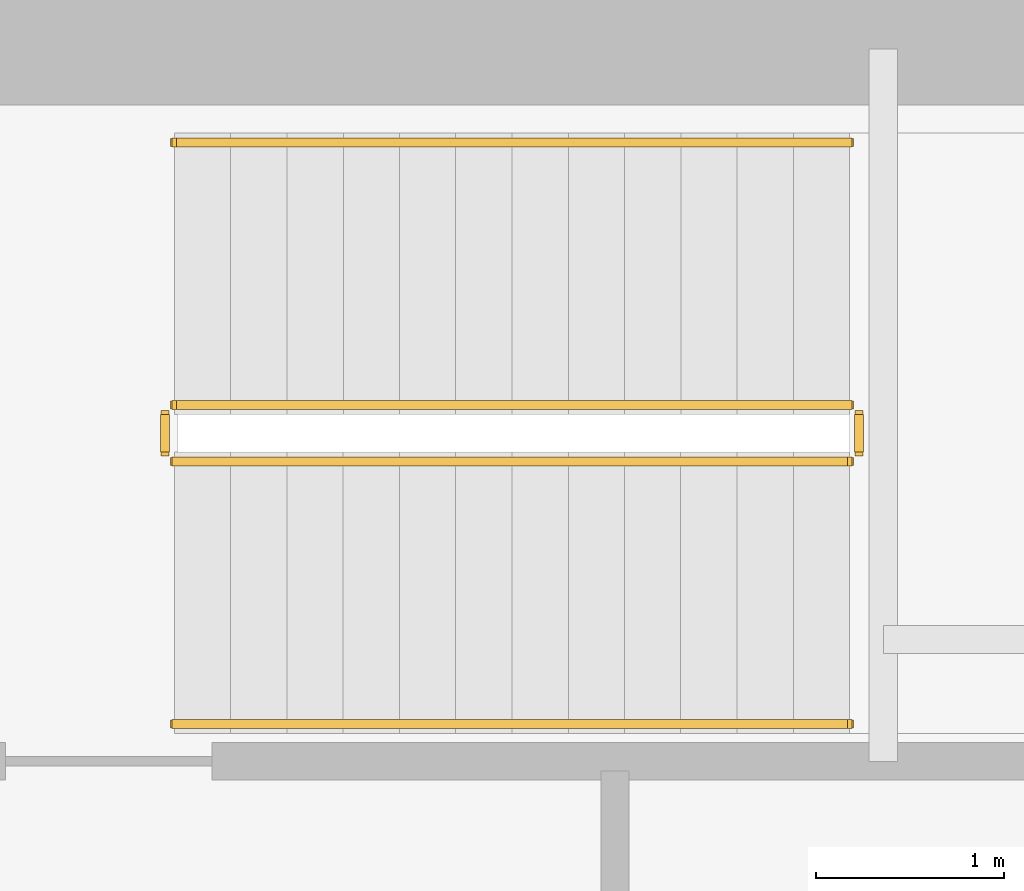
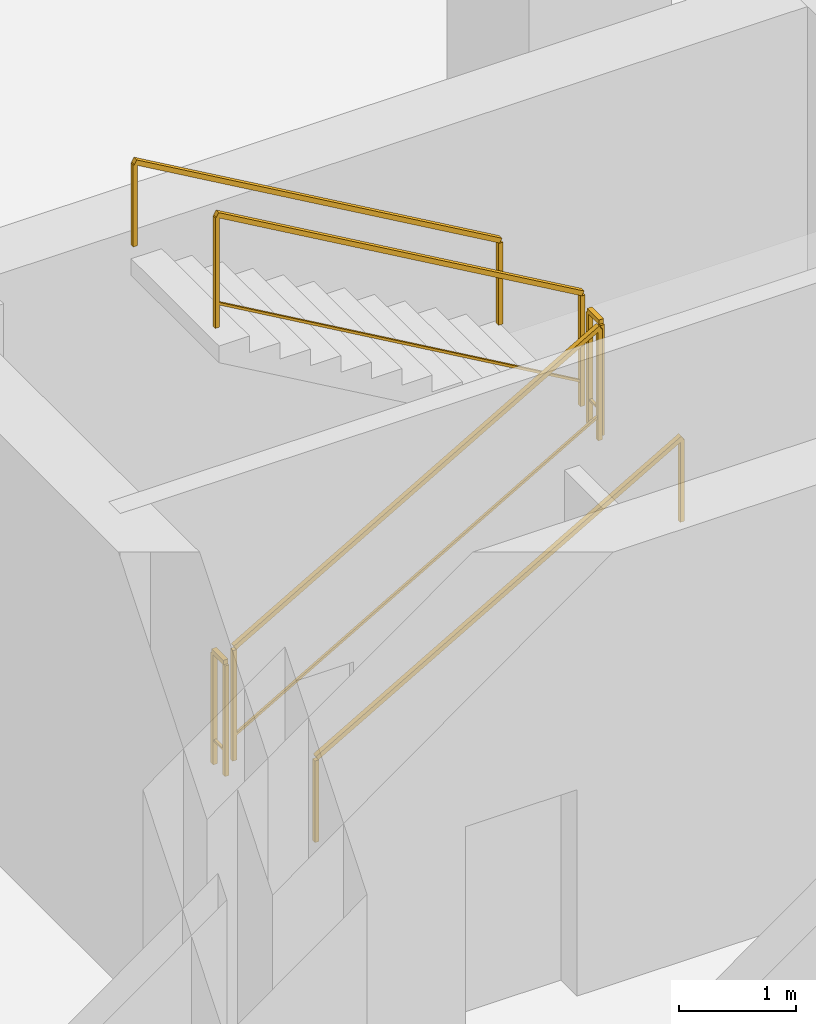
# One storey, part 14 of 15: 6 railings.
"""IFC4 building model written with IfcOpenShell, lengths in metres."""

from ifc_helpers import new_model, si_unit, direction, frame, origin, origin_2d, place, context, subcontext, project, spatial, rectangle, extrude, material, type_object, element, save


model = new_model("IFC4")

# Units and contexts
model_context = context("Model", 3, precision=1e-05, world=origin(), true_north=direction((0.0, 1.0)))
body_context = subcontext(model_context, "Body", "Model", "MODEL_VIEW")
ifc_project = project(units=[si_unit("LENGTHUNIT", "METRE"), si_unit("AREAUNIT", "SQUARE_METRE"), si_unit("VOLUMEUNIT", "CUBIC_METRE"), si_unit("PLANEANGLEUNIT", "RADIAN"), si_unit("MASSUNIT", "GRAM", prefix="KILO")], contexts=[model_context])

# Site, building, storey
site_placement = place(None, origin())
site = spatial("IfcSite", under=ifc_project, at=site_placement, CompositionType="ELEMENT")
building_placement = place(site_placement, origin())
building = spatial("IfcBuilding", under=site, at=building_placement, Name="Svetorya Sky Lyceum", CompositionType="ELEMENT")
storey_placement = place(building_placement, frame((0.0, 0.0, 6.60009765625)))
storey = spatial("IfcBuildingStorey", under=building, at=storey_placement, Name="L01", CompositionType="ELEMENT", Elevation=6.60009765625)

# Railings
ifc_material_1 = material(Name="Painted galvanized stair well guard")
railing_type_1 = type_object("IfcRailingType", Name="RL-STR-GUARD-1200", PredefinedType="GUARDRAIL", material=ifc_material_1)
railing_1_placement = place(storey_placement, frame((27.699951171875, 43.60009765625, 0.173095703125)))
element("IfcRailing", 1, at=railing_1_placement, inside=storey, type_object=railing_type_1, Name="L01 ST-N stair guard 1", PredefinedType="GUARDRAIL", context=body_context, shape_type="SweptSolid", body=[
    extrude(rectangle(XDim=0.048095703125, YDim=0.048095703125, at=origin_2d()), frame((0.0, 0.0, 1.17578125), z_axis=(0.866193409371, 0.0, 0.499708892819), x_axis=(0.0, 1.0, 0.0)), (0.0, 0.0, 1.0), 4.15625),
    extrude(rectangle(XDim=0.02392578125, YDim=0.02392578125, at=origin_2d()), frame((0.0, 0.0, 0.25), z_axis=(0.866193409371, 0.0, 0.499708892819), x_axis=(0.0, 1.0, 0.0)), (0.0, 0.0, 1.0), 4.15625),
    extrude(rectangle(XDim=0.0419921875, YDim=0.0419921875, at=origin_2d()), origin(), (0.0, 0.0, 1.0), 1.15185546875),
    extrude(rectangle(XDim=0.0419921875, YDim=0.0419921875, at=origin_2d()), frame((3.60009765625, 0.0, 2.076904296875)), (0.0, 0.0, 1.0), 1.15185546875),
])
railing_2_placement = place(storey_placement, frame((31.35009765625, 43.64990234375, 2.25)))
element("IfcRailing", 2, at=railing_2_placement, inside=storey, type_object=railing_type_1, Name="L01 ST-N stair guard 2", PredefinedType="GUARDRAIL", context=body_context, shape_type="SweptSolid", body=[
    extrude(rectangle(XDim=0.048095703125, YDim=0.048095703125, at=origin_2d()), frame((0.0, 0.0, 1.17578125), z_axis=(0.0, 1.0, 0.0), x_axis=(-1.0, 0.0, 0.0)), (0.0, 0.0, 1.0), 0.2001953125),
    extrude(rectangle(XDim=0.02392578125, YDim=0.02392578125, at=origin_2d()), frame((0.0, 0.0, 0.25), z_axis=(0.0, 1.0, 0.0), x_axis=(-1.0, 0.0, 0.0)), (0.0, 0.0, 1.0), 0.2001953125),
    extrude(rectangle(XDim=0.0419921875, YDim=0.0419921875, at=origin_2d()), origin(), (0.0, 0.0, 1.0), 1.15185546875),
    extrude(rectangle(XDim=0.0419921875, YDim=0.0419921875, at=origin_2d()), frame((0.0, 0.2001953125, 0.0)), (0.0, 0.0, 1.0), 1.15185546875),
])
railing_3_placement = place(storey_placement, frame((31.300048828125, 43.89990234375, 2.423095703125)))
element("IfcRailing", 3, at=railing_3_placement, inside=storey, type_object=railing_type_1, Name="L01 ST-N stair guard 3", PredefinedType="GUARDRAIL", context=body_context, shape_type="SweptSolid", body=[
    extrude(rectangle(XDim=0.048095703125, YDim=0.048095703125, at=origin_2d()), frame((0.0, 0.0, 1.17578125), z_axis=(-0.866193409371, 0.0, 0.499708892819), x_axis=(0.0, -1.0, 0.0)), (0.0, 0.0, 1.0), 4.15625),
    extrude(rectangle(XDim=0.02392578125, YDim=0.02392578125, at=origin_2d()), frame((0.0, 0.0, 0.25), z_axis=(-0.866193409371, 0.0, 0.499708892819), x_axis=(0.0, -1.0, 0.0)), (0.0, 0.0, 1.0), 4.15625),
    extrude(rectangle(XDim=0.0419921875, YDim=0.0419921875, at=origin_2d()), origin(), (0.0, 0.0, 1.0), 1.15185546875),
    extrude(rectangle(XDim=0.0419921875, YDim=0.0419921875, at=origin_2d()), frame((-3.60009765625, 0.0, 2.076904296875)), (0.0, 0.0, 1.0), 1.15185546875),
])
railing_4_placement = place(storey_placement, frame((27.64990234375, 43.64990234375, 0.0)))
element("IfcRailing", 4, at=railing_4_placement, inside=storey, type_object=railing_type_1, Name="L01 ST-N stair guard 4", PredefinedType="GUARDRAIL", context=body_context, shape_type="SweptSolid", body=[
    extrude(rectangle(XDim=0.048095703125, YDim=0.048095703125, at=origin_2d()), frame((0.0, 0.0, 1.17578125), z_axis=(0.0, 1.0, 0.0), x_axis=(-1.0, 0.0, 0.0)), (0.0, 0.0, 1.0), 0.2001953125),
    extrude(rectangle(XDim=0.02392578125, YDim=0.02392578125, at=origin_2d()), frame((0.0, 0.0, 0.25), z_axis=(0.0, 1.0, 0.0), x_axis=(-1.0, 0.0, 0.0)), (0.0, 0.0, 1.0), 0.2001953125),
    extrude(rectangle(XDim=0.0419921875, YDim=0.0419921875, at=origin_2d()), origin(), (0.0, 0.0, 1.0), 1.15185546875),
    extrude(rectangle(XDim=0.0419921875, YDim=0.0419921875, at=origin_2d()), frame((0.0, 0.2001953125, 0.0)), (0.0, 0.0, 1.0), 1.15185546875),
])
ifc_material_2 = material(Name="Brushed stainless AISI 304 stair handrail")
railing_type_2 = type_object("IfcRailingType", Name="RL-STR-HAND-920", PredefinedType="HANDRAIL", material=ifc_material_2)
railing_5_placement = place(storey_placement, frame((27.699951171875, 42.199951171875, 0.173095703125)))
element("IfcRailing", 5, at=railing_5_placement, inside=storey, type_object=railing_type_2, Name="L01 ST-N stair handrail 1", PredefinedType="HANDRAIL", context=body_context, shape_type="SweptSolid", body=[
    extrude(rectangle(XDim=0.048095703125, YDim=0.048095703125, at=origin_2d()), frame((0.0, 0.0, 0.8759765625), z_axis=(0.866193409371, 0.0, 0.499708892819), x_axis=(0.0, 1.0, 0.0)), (0.0, 0.0, 1.0), 4.15625),
    extrude(rectangle(XDim=0.0419921875, YDim=0.0419921875, at=origin_2d()), origin(), (0.0, 0.0, 1.0), 0.851806640625),
    extrude(rectangle(XDim=0.0419921875, YDim=0.0419921875, at=origin_2d()), frame((3.60009765625, 0.0, 2.076904296875)), (0.0, 0.0, 1.0), 0.851806640625),
])
railing_6_placement = place(storey_placement, frame((31.300048828125, 45.300048828125, 2.423095703125)))
element("IfcRailing", 6, at=railing_6_placement, inside=storey, type_object=railing_type_2, Name="L01 ST-N stair handrail 2", PredefinedType="HANDRAIL", context=body_context, shape_type="SweptSolid", body=[
    extrude(rectangle(XDim=0.048095703125, YDim=0.048095703125, at=origin_2d()), frame((0.0, 0.0, 0.8759765625), z_axis=(-0.866193409371, 0.0, 0.499708892819), x_axis=(0.0, -1.0, 0.0)), (0.0, 0.0, 1.0), 4.15625),
    extrude(rectangle(XDim=0.0419921875, YDim=0.0419921875, at=origin_2d()), origin(), (0.0, 0.0, 1.0), 0.851806640625),
    extrude(rectangle(XDim=0.0419921875, YDim=0.0419921875, at=origin_2d()), frame((-3.60009765625, 0.0, 2.076904296875)), (0.0, 0.0, 1.0), 0.851806640625),
])

save(model, "model.ifc")
